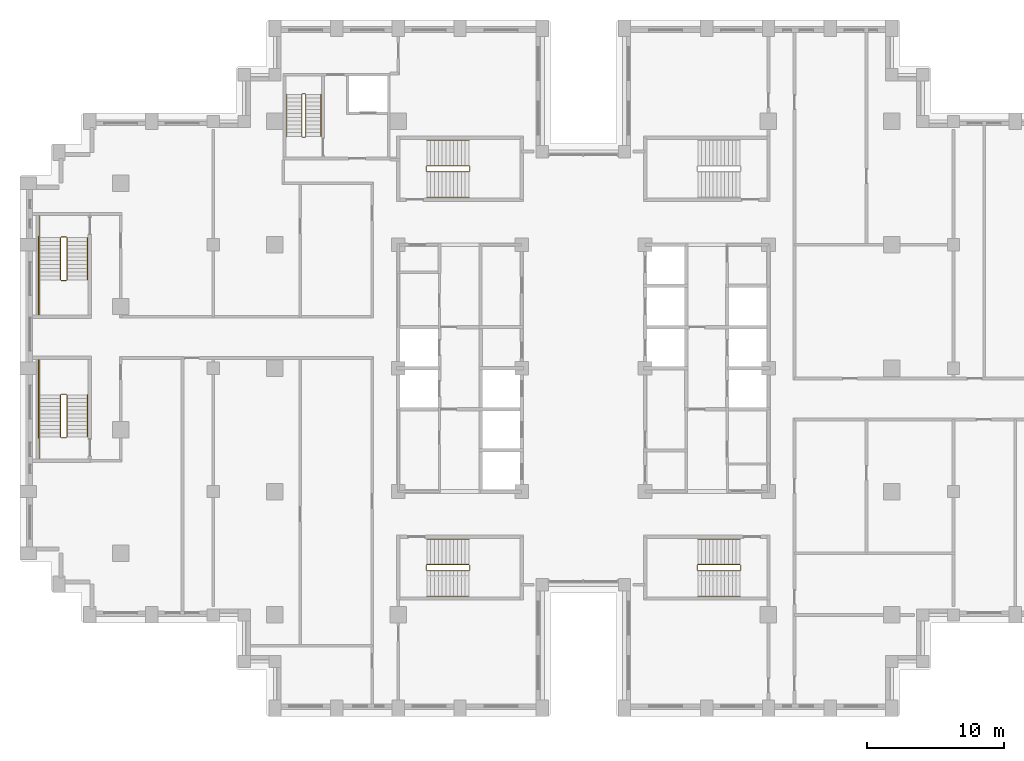
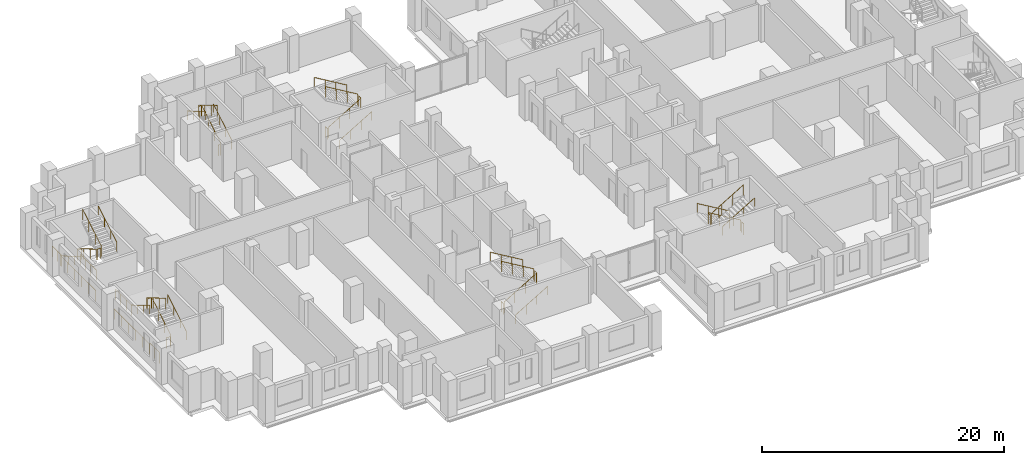
# One storey, part 15 of 16: 6 railings.
"""IFC4 building model written with IfcOpenShell, lengths in metres."""

from ifc_helpers import new_model, si_unit, direction, frame, origin, origin_2d, place, context, subcontext, project, spatial, circle, extrude, material, type_object, element, save


model = new_model("IFC4")

# Units and contexts
model_context = context("Model", 3, precision=1e-05, world=origin(), true_north=direction((0.0, 1.0)))
body_context = subcontext(model_context, "Body", "Model", "MODEL_VIEW")
ifc_project = project(units=[si_unit("LENGTHUNIT", "METRE"), si_unit("AREAUNIT", "SQUARE_METRE"), si_unit("VOLUMEUNIT", "CUBIC_METRE"), si_unit("PLANEANGLEUNIT", "RADIAN"), si_unit("MASSUNIT", "GRAM", prefix="KILO")], contexts=[model_context])

# Site, building, storey
site_placement = place(None, origin())
site = spatial("IfcSite", under=ifc_project, at=site_placement, CompositionType="ELEMENT")
building_placement = place(site_placement, origin())
building = spatial("IfcBuilding", under=site, at=building_placement, Name="Corbelhall Arena Tower", CompositionType="ELEMENT")
storey_placement = place(building_placement, frame((0.0, 0.0, 108.0)))
storey = spatial("IfcBuildingStorey", under=building, at=storey_placement, Name="L19", CompositionType="ELEMENT", Elevation=108.0)

# Railings
ifc_material = material(Name="Steel ASTM A500 Gr C", Category="steel")
railing_type = type_object("IfcRailingType", Name="IN-GD-1100", PredefinedType="GUARDRAIL", material=ifc_material)
railing_1_placement = place(storey_placement, frame((-11.425048828125, 14.324951171875, 0.166748046875)))
element("IfcRailing", 1, at=railing_1_placement, inside=storey, type_object=railing_type, Name="L19 ST1 stair guards and handrails", PredefinedType="GUARDRAIL", context=body_context, shape_type="SweptSolid", body=[
    extrude(circle(Radius=0.02392578125, at=origin_2d()), frame((0.0, 0.0, 1.076171875), z_axis=(0.859308565015, 0.0, 0.511457515432), x_axis=(0.0, 1.0, 0.0)), (0.0, 0.0, 1.0), 3.58447265625),
    extrude(circle(Radius=0.02392578125, at=origin_2d()), frame((3.130126953125, 0.050048828125, 2.9091796875), z_axis=(0.0, 1.0, 0.0), x_axis=(-1.0, 0.0, 0.0)), (0.0, 0.0, 1.0), 0.35009765625),
    extrude(circle(Radius=0.02392578125, at=origin_2d()), frame((3.080078125, 0.449951171875, 3.076171875), z_axis=(-0.859308565015, 0.0, 0.511457515432), x_axis=(0.0, -1.0, 0.0)), (0.0, 0.0, 1.0), 3.58447265625),
    extrude(circle(Radius=0.02392578125, at=origin_2d()), frame((-0.050048828125, 0.050048828125, 0.9091796875), z_axis=(0.0, 1.0, 0.0), x_axis=(-1.0, 0.0, 0.0)), (0.0, 0.0, 1.0), 0.35009765625),
    extrude(circle(Radius=0.02392578125, at=origin_2d()), frame((0.0, -1.849853515625, 0.8759765625), z_axis=(0.859308565015, 0.0, 0.511457515432), x_axis=(0.0, 1.0, 0.0)), (0.0, 0.0, 1.0), 3.58447265625),
    extrude(circle(Radius=0.02392578125, at=origin_2d()), frame((3.080078125, 2.300048828125, 2.8759765625), z_axis=(-0.859308565015, 0.0, 0.511457515432), x_axis=(0.0, -1.0, 0.0)), (0.0, 0.0, 1.0), 3.58447265625),
    extrude(circle(Radius=0.02099609375, at=origin_2d()), origin(), (0.0, 0.0, 1.0), 1.052001953125),
    extrude(circle(Radius=0.02099609375, at=origin_2d()), frame((1.026611328125, 0.0, 0.611083984375)), (0.0, 0.0, 1.0), 1.052001953125),
    extrude(circle(Radius=0.02099609375, at=origin_2d()), frame((2.053466796875, 0.0, 1.22216796875)), (0.0, 0.0, 1.0), 1.052001953125),
    extrude(circle(Radius=0.02099609375, at=origin_2d()), frame((3.080078125, 0.0, 1.833251953125)), (0.0, 0.0, 1.0), 1.052001953125),
    extrude(circle(Radius=0.02099609375, at=origin_2d()), frame((3.130126953125, 0.050048828125, 1.833251953125)), (0.0, 0.0, 1.0), 1.052001953125),
    extrude(circle(Radius=0.02099609375, at=origin_2d()), frame((3.130126953125, 0.400146484375, 1.833251953125)), (0.0, 0.0, 1.0), 1.052001953125),
    extrude(circle(Radius=0.02099609375, at=origin_2d()), frame((3.080078125, 0.449951171875, 2.0)), (0.0, 0.0, 1.0), 1.052001953125),
    extrude(circle(Radius=0.02099609375, at=origin_2d()), frame((2.053466796875, 0.449951171875, 2.611083984375)), (0.0, 0.0, 1.0), 1.052001953125),
    extrude(circle(Radius=0.02099609375, at=origin_2d()), frame((1.026611328125, 0.449951171875, 3.22216796875)), (0.0, 0.0, 1.0), 1.052001953125),
    extrude(circle(Radius=0.02099609375, at=origin_2d()), frame((0.0, 0.449951171875, 3.833251953125)), (0.0, 0.0, 1.0), 1.052001953125),
    extrude(circle(Radius=0.02099609375, at=origin_2d()), frame((-0.050048828125, 0.050048828125, -0.166748046875)), (0.0, 0.0, 1.0), 1.052001953125),
    extrude(circle(Radius=0.02099609375, at=origin_2d()), frame((-0.050048828125, 0.400146484375, -0.166748046875)), (0.0, 0.0, 1.0), 1.052001953125),
    extrude(circle(Radius=0.02099609375, at=origin_2d()), frame((0.0, -1.849853515625, 0.0)), (0.0, 0.0, 1.0), 0.851806640625),
    extrude(circle(Radius=0.02099609375, at=origin_2d()), frame((1.026611328125, -1.849853515625, 0.611083984375)), (0.0, 0.0, 1.0), 0.851806640625),
    extrude(circle(Radius=0.02099609375, at=origin_2d()), frame((2.053466796875, -1.849853515625, 1.22216796875)), (0.0, 0.0, 1.0), 0.851806640625),
    extrude(circle(Radius=0.02099609375, at=origin_2d()), frame((3.080078125, -1.849853515625, 1.833251953125)), (0.0, 0.0, 1.0), 0.851806640625),
    extrude(circle(Radius=0.02099609375, at=origin_2d()), frame((3.080078125, 2.300048828125, 2.0)), (0.0, 0.0, 1.0), 0.851806640625),
    extrude(circle(Radius=0.02099609375, at=origin_2d()), frame((2.053466796875, 2.300048828125, 2.611083984375)), (0.0, 0.0, 1.0), 0.851806640625),
    extrude(circle(Radius=0.02099609375, at=origin_2d()), frame((1.026611328125, 2.300048828125, 3.22216796875)), (0.0, 0.0, 1.0), 0.851806640625),
    extrude(circle(Radius=0.02099609375, at=origin_2d()), frame((0.0, 2.300048828125, 3.833251953125)), (0.0, 0.0, 1.0), 0.851806640625),
])
railing_2_placement = place(storey_placement, frame((-11.425048828125, -14.77490234375, 0.166748046875)))
element("IfcRailing", 2, at=railing_2_placement, inside=storey, type_object=railing_type, Name="L19 ST2 stair guards and handrails", PredefinedType="GUARDRAIL", context=body_context, shape_type="SweptSolid", body=[
    extrude(circle(Radius=0.02392578125, at=origin_2d()), frame((0.0, 0.0, 1.076171875), z_axis=(0.859308565015, 0.0, 0.511457515432), x_axis=(0.0, 1.0, 0.0)), (0.0, 0.0, 1.0), 3.58447265625),
    extrude(circle(Radius=0.02392578125, at=origin_2d()), frame((3.130126953125, 0.0498046875, 2.9091796875), z_axis=(0.0, 1.0, 0.0), x_axis=(-1.0, 0.0, 0.0)), (0.0, 0.0, 1.0), 0.35009765625),
    extrude(circle(Radius=0.02392578125, at=origin_2d()), frame((3.080078125, 0.449951171875, 3.076171875), z_axis=(-0.859308565015, 0.0, 0.511457515432), x_axis=(0.0, -1.0, 0.0)), (0.0, 0.0, 1.0), 3.58447265625),
    extrude(circle(Radius=0.02392578125, at=origin_2d()), frame((-0.050048828125, 0.0498046875, 0.9091796875), z_axis=(0.0, 1.0, 0.0), x_axis=(-1.0, 0.0, 0.0)), (0.0, 0.0, 1.0), 0.35009765625),
    extrude(circle(Radius=0.02392578125, at=origin_2d()), frame((0.0, -1.85009765625, 0.8759765625), z_axis=(0.859308565015, 0.0, 0.511457515432), x_axis=(0.0, 1.0, 0.0)), (0.0, 0.0, 1.0), 3.58447265625),
    extrude(circle(Radius=0.02392578125, at=origin_2d()), frame((3.080078125, 2.2998046875, 2.8759765625), z_axis=(-0.859308565015, 0.0, 0.511457515432), x_axis=(0.0, -1.0, 0.0)), (0.0, 0.0, 1.0), 3.58447265625),
    extrude(circle(Radius=0.02099609375, at=origin_2d()), origin(), (0.0, 0.0, 1.0), 1.052001953125),
    extrude(circle(Radius=0.02099609375, at=origin_2d()), frame((1.026611328125, 0.0, 0.611083984375)), (0.0, 0.0, 1.0), 1.052001953125),
    extrude(circle(Radius=0.02099609375, at=origin_2d()), frame((2.053466796875, 0.0, 1.22216796875)), (0.0, 0.0, 1.0), 1.052001953125),
    extrude(circle(Radius=0.02099609375, at=origin_2d()), frame((3.080078125, 0.0, 1.833251953125)), (0.0, 0.0, 1.0), 1.052001953125),
    extrude(circle(Radius=0.02099609375, at=origin_2d()), frame((3.130126953125, 0.0498046875, 1.833251953125)), (0.0, 0.0, 1.0), 1.052001953125),
    extrude(circle(Radius=0.02099609375, at=origin_2d()), frame((3.130126953125, 0.39990234375, 1.833251953125)), (0.0, 0.0, 1.0), 1.052001953125),
    extrude(circle(Radius=0.02099609375, at=origin_2d()), frame((3.080078125, 0.449951171875, 2.0)), (0.0, 0.0, 1.0), 1.052001953125),
    extrude(circle(Radius=0.02099609375, at=origin_2d()), frame((2.053466796875, 0.449951171875, 2.611083984375)), (0.0, 0.0, 1.0), 1.052001953125),
    extrude(circle(Radius=0.02099609375, at=origin_2d()), frame((1.026611328125, 0.449951171875, 3.22216796875)), (0.0, 0.0, 1.0), 1.052001953125),
    extrude(circle(Radius=0.02099609375, at=origin_2d()), frame((0.0, 0.449951171875, 3.833251953125)), (0.0, 0.0, 1.0), 1.052001953125),
    extrude(circle(Radius=0.02099609375, at=origin_2d()), frame((-0.050048828125, 0.0498046875, -0.166748046875)), (0.0, 0.0, 1.0), 1.052001953125),
    extrude(circle(Radius=0.02099609375, at=origin_2d()), frame((-0.050048828125, 0.39990234375, -0.166748046875)), (0.0, 0.0, 1.0), 1.052001953125),
    extrude(circle(Radius=0.02099609375, at=origin_2d()), frame((0.0, -1.85009765625, 0.0)), (0.0, 0.0, 1.0), 0.851806640625),
    extrude(circle(Radius=0.02099609375, at=origin_2d()), frame((1.026611328125, -1.85009765625, 0.611083984375)), (0.0, 0.0, 1.0), 0.851806640625),
    extrude(circle(Radius=0.02099609375, at=origin_2d()), frame((2.053466796875, -1.85009765625, 1.22216796875)), (0.0, 0.0, 1.0), 0.851806640625),
    extrude(circle(Radius=0.02099609375, at=origin_2d()), frame((3.080078125, -1.85009765625, 1.833251953125)), (0.0, 0.0, 1.0), 0.851806640625),
    extrude(circle(Radius=0.02099609375, at=origin_2d()), frame((3.080078125, 2.2998046875, 2.0)), (0.0, 0.0, 1.0), 0.851806640625),
    extrude(circle(Radius=0.02099609375, at=origin_2d()), frame((2.053466796875, 2.2998046875, 2.611083984375)), (0.0, 0.0, 1.0), 0.851806640625),
    extrude(circle(Radius=0.02099609375, at=origin_2d()), frame((1.026611328125, 2.2998046875, 3.22216796875)), (0.0, 0.0, 1.0), 0.851806640625),
    extrude(circle(Radius=0.02099609375, at=origin_2d()), frame((0.0, 2.2998046875, 3.833251953125)), (0.0, 0.0, 1.0), 0.851806640625),
])
railing_3_placement = place(storey_placement, frame((11.425048828125, -14.324951171875, 0.166748046875)))
element("IfcRailing", 3, at=railing_3_placement, inside=storey, type_object=railing_type, Name="L19 ST4 stair guards and handrails", PredefinedType="GUARDRAIL", context=body_context, shape_type="SweptSolid", body=[
    extrude(circle(Radius=0.02392578125, at=origin_2d()), frame((0.0, 0.0, 1.076171875), z_axis=(-0.859308565015, 0.0, 0.511457515432), x_axis=(0.0, -1.0, 0.0)), (0.0, 0.0, 1.0), 3.58447265625),
    extrude(circle(Radius=0.02392578125, at=origin_2d()), frame((-3.130126953125, -0.050048828125, 2.9091796875), z_axis=(0.0, -1.0, 0.0), x_axis=(1.0, 0.0, 0.0)), (0.0, 0.0, 1.0), 0.35009765625),
    extrude(circle(Radius=0.02392578125, at=origin_2d()), frame((-3.080078125, -0.449951171875, 3.076171875), z_axis=(0.859308565015, 0.0, 0.511457515432), x_axis=(0.0, 1.0, 0.0)), (0.0, 0.0, 1.0), 3.58447265625),
    extrude(circle(Radius=0.02392578125, at=origin_2d()), frame((0.050048828125, -0.050048828125, 0.9091796875), z_axis=(0.0, -1.0, 0.0), x_axis=(1.0, 0.0, 0.0)), (0.0, 0.0, 1.0), 0.35009765625),
    extrude(circle(Radius=0.02392578125, at=origin_2d()), frame((0.0, 1.849853515625, 0.8759765625), z_axis=(-0.859308565015, 0.0, 0.511457515432), x_axis=(0.0, -1.0, 0.0)), (0.0, 0.0, 1.0), 3.58447265625),
    extrude(circle(Radius=0.02392578125, at=origin_2d()), frame((-3.080078125, -2.300048828125, 2.8759765625), z_axis=(0.859308565015, 0.0, 0.511457515432), x_axis=(0.0, 1.0, 0.0)), (0.0, 0.0, 1.0), 3.58447265625),
    extrude(circle(Radius=0.02099609375, at=origin_2d()), origin(), (0.0, 0.0, 1.0), 1.052001953125),
    extrude(circle(Radius=0.02099609375, at=origin_2d()), frame((-1.026611328125, 0.0, 0.611083984375)), (0.0, 0.0, 1.0), 1.052001953125),
    extrude(circle(Radius=0.02099609375, at=origin_2d()), frame((-2.053466796875, 0.0, 1.22216796875)), (0.0, 0.0, 1.0), 1.052001953125),
    extrude(circle(Radius=0.02099609375, at=origin_2d()), frame((-3.080078125, 0.0, 1.833251953125)), (0.0, 0.0, 1.0), 1.052001953125),
    extrude(circle(Radius=0.02099609375, at=origin_2d()), frame((-3.130126953125, -0.050048828125, 1.833251953125)), (0.0, 0.0, 1.0), 1.052001953125),
    extrude(circle(Radius=0.02099609375, at=origin_2d()), frame((-3.130126953125, -0.400146484375, 1.833251953125)), (0.0, 0.0, 1.0), 1.052001953125),
    extrude(circle(Radius=0.02099609375, at=origin_2d()), frame((-3.080078125, -0.449951171875, 2.0)), (0.0, 0.0, 1.0), 1.052001953125),
    extrude(circle(Radius=0.02099609375, at=origin_2d()), frame((-2.053466796875, -0.449951171875, 2.611083984375)), (0.0, 0.0, 1.0), 1.052001953125),
    extrude(circle(Radius=0.02099609375, at=origin_2d()), frame((-1.026611328125, -0.449951171875, 3.22216796875)), (0.0, 0.0, 1.0), 1.052001953125),
    extrude(circle(Radius=0.02099609375, at=origin_2d()), frame((0.0, -0.449951171875, 3.833251953125)), (0.0, 0.0, 1.0), 1.052001953125),
    extrude(circle(Radius=0.02099609375, at=origin_2d()), frame((0.050048828125, -0.050048828125, -0.166748046875)), (0.0, 0.0, 1.0), 1.052001953125),
    extrude(circle(Radius=0.02099609375, at=origin_2d()), frame((0.050048828125, -0.400146484375, -0.166748046875)), (0.0, 0.0, 1.0), 1.052001953125),
    extrude(circle(Radius=0.02099609375, at=origin_2d()), frame((0.0, 1.849853515625, 0.0)), (0.0, 0.0, 1.0), 0.851806640625),
    extrude(circle(Radius=0.02099609375, at=origin_2d()), frame((-1.026611328125, 1.849853515625, 0.611083984375)), (0.0, 0.0, 1.0), 0.851806640625),
    extrude(circle(Radius=0.02099609375, at=origin_2d()), frame((-2.053466796875, 1.849853515625, 1.22216796875)), (0.0, 0.0, 1.0), 0.851806640625),
    extrude(circle(Radius=0.02099609375, at=origin_2d()), frame((-3.080078125, 1.849853515625, 1.833251953125)), (0.0, 0.0, 1.0), 0.851806640625),
    extrude(circle(Radius=0.02099609375, at=origin_2d()), frame((-3.080078125, -2.300048828125, 2.0)), (0.0, 0.0, 1.0), 0.851806640625),
    extrude(circle(Radius=0.02099609375, at=origin_2d()), frame((-2.053466796875, -2.300048828125, 2.611083984375)), (0.0, 0.0, 1.0), 0.851806640625),
    extrude(circle(Radius=0.02099609375, at=origin_2d()), frame((-1.026611328125, -2.300048828125, 3.22216796875)), (0.0, 0.0, 1.0), 0.851806640625),
    extrude(circle(Radius=0.02099609375, at=origin_2d()), frame((0.0, -2.300048828125, 3.833251953125)), (0.0, 0.0, 1.0), 0.851806640625),
])
railing_4_placement = place(storey_placement, frame((-38.14990234375, 9.52490234375, 0.166748046875)))
element("IfcRailing", 4, at=railing_4_placement, inside=storey, type_object=railing_type, Name="L19 SC1 stair guards and handrails", PredefinedType="GUARDRAIL", context=body_context, shape_type="SweptSolid", body=[
    extrude(circle(Radius=0.02392578125, at=origin_2d()), frame((0.0, 0.0, 1.076171875), z_axis=(0.0, -0.859290745958, 0.51148745235), x_axis=(1.0, 0.0, 0.0)), (0.0, 0.0, 1.0), 3.584228515625),
    extrude(circle(Radius=0.02392578125, at=origin_2d()), frame((0.0498046875, -3.1298828125, 2.9091796875), z_axis=(1.0, 0.0, 0.0), x_axis=(0.0, 1.0, 0.0)), (0.0, 0.0, 1.0), 0.375),
    extrude(circle(Radius=0.02392578125, at=origin_2d()), frame((-1.5, -3.079833984375, 2.9091796875), z_axis=(0.0, -1.0, 0.0), x_axis=(1.0, 0.0, 0.0)), (0.0, 0.0, 1.0), 2.570068359375),
    extrude(circle(Radius=0.02392578125, at=origin_2d()), frame((0.474853515625, -3.079833984375, 3.076171875), z_axis=(0.0, 0.859290745958, 0.51148745235), x_axis=(-1.0, 0.0, 0.0)), (0.0, 0.0, 1.0), 3.584228515625),
    extrude(circle(Radius=0.02392578125, at=origin_2d()), frame((0.0498046875, 0.050048828125, 0.9091796875), z_axis=(1.0, 0.0, 0.0), x_axis=(0.0, 1.0, 0.0)), (0.0, 0.0, 1.0), 0.375),
    extrude(circle(Radius=0.02392578125, at=origin_2d()), frame((-1.5, 1.60009765625, 0.9091796875), z_axis=(0.0, -1.0, 0.0), x_axis=(1.0, 0.0, 0.0)), (0.0, 0.0, 1.0), 1.60009765625),
    extrude(circle(Radius=0.02392578125, at=origin_2d()), frame((-1.60009765625, 0.10009765625, 0.9091796875), z_axis=(0.0, -1.0, 0.0), x_axis=(1.0, 0.0, 0.0)), (0.0, 0.0, 1.0), 5.85009765625),
    extrude(circle(Radius=0.02392578125, at=origin_2d()), frame((-1.5, 0.0, 0.8759765625), z_axis=(0.0, -0.859290745958, 0.51148745235), x_axis=(1.0, 0.0, 0.0)), (0.0, 0.0, 1.0), 3.584228515625),
    extrude(circle(Radius=0.02392578125, at=origin_2d()), frame((1.974853515625, -3.079833984375, 2.8759765625), z_axis=(0.0, 0.859290745958, 0.51148745235), x_axis=(-1.0, 0.0, 0.0)), (0.0, 0.0, 1.0), 3.584228515625),
    extrude(circle(Radius=0.02099609375, at=origin_2d()), origin(), (0.0, 0.0, 1.0), 1.052001953125),
    extrude(circle(Radius=0.02099609375, at=origin_2d()), frame((0.0, -1.026611328125, 0.611083984375)), (0.0, 0.0, 1.0), 1.052001953125),
    extrude(circle(Radius=0.02099609375, at=origin_2d()), frame((0.0, -2.05322265625, 1.22216796875)), (0.0, 0.0, 1.0), 1.052001953125),
    extrude(circle(Radius=0.02099609375, at=origin_2d()), frame((0.0, -3.079833984375, 1.833251953125)), (0.0, 0.0, 1.0), 1.052001953125),
    extrude(circle(Radius=0.02099609375, at=origin_2d()), frame((0.0498046875, -3.1298828125, 1.833251953125)), (0.0, 0.0, 1.0), 1.052001953125),
    extrude(circle(Radius=0.02099609375, at=origin_2d()), frame((0.4248046875, -3.1298828125, 1.833251953125)), (0.0, 0.0, 1.0), 1.052001953125),
    extrude(circle(Radius=0.02099609375, at=origin_2d()), frame((-1.5, -3.079833984375, 1.833251953125)), (0.0, 0.0, 1.0), 1.052001953125),
    extrude(circle(Radius=0.02099609375, at=origin_2d()), frame((-1.5, -3.9365234375, 1.833251953125)), (0.0, 0.0, 1.0), 1.052001953125),
    extrude(circle(Radius=0.02099609375, at=origin_2d()), frame((-1.5, -4.793212890625, 1.833251953125)), (0.0, 0.0, 1.0), 1.052001953125),
    extrude(circle(Radius=0.02099609375, at=origin_2d()), frame((-1.5, -5.64990234375, 1.833251953125)), (0.0, 0.0, 1.0), 1.052001953125),
    extrude(circle(Radius=0.02099609375, at=origin_2d()), frame((0.474853515625, -3.079833984375, 2.0)), (0.0, 0.0, 1.0), 1.052001953125),
    extrude(circle(Radius=0.02099609375, at=origin_2d()), frame((0.474853515625, -2.05322265625, 2.611083984375)), (0.0, 0.0, 1.0), 1.052001953125),
    extrude(circle(Radius=0.02099609375, at=origin_2d()), frame((0.474853515625, -1.026611328125, 3.22216796875)), (0.0, 0.0, 1.0), 1.052001953125),
    extrude(circle(Radius=0.02099609375, at=origin_2d()), frame((0.474853515625, 0.0, 3.833251953125)), (0.0, 0.0, 1.0), 1.052001953125),
    extrude(circle(Radius=0.02099609375, at=origin_2d()), frame((0.0498046875, 0.050048828125, -0.166748046875)), (0.0, 0.0, 1.0), 1.052001953125),
    extrude(circle(Radius=0.02099609375, at=origin_2d()), frame((0.4248046875, 0.050048828125, -0.166748046875)), (0.0, 0.0, 1.0), 1.052001953125),
    extrude(circle(Radius=0.02099609375, at=origin_2d()), frame((-1.5, 1.60009765625, -0.166748046875)), (0.0, 0.0, 1.0), 1.052001953125),
    extrude(circle(Radius=0.02099609375, at=origin_2d()), frame((-1.5, 0.800048828125, -0.166748046875)), (0.0, 0.0, 1.0), 1.052001953125),
    extrude(circle(Radius=0.02099609375, at=origin_2d()), frame((-1.5, 0.0, -0.166748046875)), (0.0, 0.0, 1.0), 1.052001953125),
    extrude(circle(Radius=0.02099609375, at=origin_2d()), frame((-1.60009765625, 0.10009765625, -0.166748046875)), (0.0, 0.0, 1.0), 1.052001953125),
    extrude(circle(Radius=0.02099609375, at=origin_2d()), frame((-1.60009765625, -1.06982421875, -0.166748046875)), (0.0, 0.0, 1.0), 1.052001953125),
    extrude(circle(Radius=0.02099609375, at=origin_2d()), frame((-1.60009765625, -2.239990234375, -0.166748046875)), (0.0, 0.0, 1.0), 1.052001953125),
    extrude(circle(Radius=0.02099609375, at=origin_2d()), frame((-1.60009765625, -3.409912109375, -0.166748046875)), (0.0, 0.0, 1.0), 1.052001953125),
    extrude(circle(Radius=0.02099609375, at=origin_2d()), frame((-1.60009765625, -4.580078125, -0.166748046875)), (0.0, 0.0, 1.0), 1.052001953125),
    extrude(circle(Radius=0.02099609375, at=origin_2d()), frame((-1.60009765625, -5.75, -0.166748046875)), (0.0, 0.0, 1.0), 1.052001953125),
    extrude(circle(Radius=0.02099609375, at=origin_2d()), frame((-1.5, 0.0, 0.0)), (0.0, 0.0, 1.0), 0.851806640625),
    extrude(circle(Radius=0.02099609375, at=origin_2d()), frame((-1.5, -1.026611328125, 0.611083984375)), (0.0, 0.0, 1.0), 0.851806640625),
    extrude(circle(Radius=0.02099609375, at=origin_2d()), frame((-1.5, -2.05322265625, 1.22216796875)), (0.0, 0.0, 1.0), 0.851806640625),
    extrude(circle(Radius=0.02099609375, at=origin_2d()), frame((1.974853515625, -3.079833984375, 2.0)), (0.0, 0.0, 1.0), 0.851806640625),
    extrude(circle(Radius=0.02099609375, at=origin_2d()), frame((1.974853515625, -2.05322265625, 2.611083984375)), (0.0, 0.0, 1.0), 0.851806640625),
    extrude(circle(Radius=0.02099609375, at=origin_2d()), frame((1.974853515625, -1.026611328125, 3.22216796875)), (0.0, 0.0, 1.0), 0.851806640625),
    extrude(circle(Radius=0.02099609375, at=origin_2d()), frame((1.974853515625, 0.0, 3.833251953125)), (0.0, 0.0, 1.0), 0.851806640625),
])
railing_5_placement = place(storey_placement, frame((-37.675048828125, -5.02490234375, 0.166748046875)))
element("IfcRailing", 5, at=railing_5_placement, inside=storey, type_object=railing_type, Name="L19 SC2 stair guards and handrails", PredefinedType="GUARDRAIL", context=body_context, shape_type="SweptSolid", body=[
    extrude(circle(Radius=0.02392578125, at=origin_2d()), frame((0.0, 0.0, 1.076171875), z_axis=(0.0, 0.859290745958, 0.51148745235), x_axis=(-1.0, 0.0, 0.0)), (0.0, 0.0, 1.0), 3.584228515625),
    extrude(circle(Radius=0.02392578125, at=origin_2d()), frame((-0.050048828125, 3.1298828125, 2.9091796875), z_axis=(-1.0, 0.0, 0.0), x_axis=(0.0, -1.0, 0.0)), (0.0, 0.0, 1.0), 0.375),
    extrude(circle(Radius=0.02392578125, at=origin_2d()), frame((-1.974853515625, 3.079833984375, 2.9091796875), z_axis=(0.0, 1.0, 0.0), x_axis=(-1.0, 0.0, 0.0)), (0.0, 0.0, 1.0), 2.570068359375),
    extrude(circle(Radius=0.02392578125, at=origin_2d()), frame((-0.474853515625, 3.079833984375, 3.076171875), z_axis=(0.0, -0.859290745958, 0.51148745235), x_axis=(1.0, 0.0, 0.0)), (0.0, 0.0, 1.0), 3.584228515625),
    extrude(circle(Radius=0.02392578125, at=origin_2d()), frame((-0.050048828125, -0.050048828125, 0.9091796875), z_axis=(-1.0, 0.0, 0.0), x_axis=(0.0, -1.0, 0.0)), (0.0, 0.0, 1.0), 0.375),
    extrude(circle(Radius=0.02392578125, at=origin_2d()), frame((-1.974853515625, -1.60009765625, 0.9091796875), z_axis=(0.0, 1.0, 0.0), x_axis=(-1.0, 0.0, 0.0)), (0.0, 0.0, 1.0), 1.60009765625),
    extrude(circle(Radius=0.02392578125, at=origin_2d()), frame((-2.074951171875, -0.10009765625, 0.9091796875), z_axis=(0.0, 1.0, 0.0), x_axis=(-1.0, 0.0, 0.0)), (0.0, 0.0, 1.0), 5.85009765625),
    extrude(circle(Radius=0.02392578125, at=origin_2d()), frame((1.5, 0.0, 0.8759765625), z_axis=(0.0, 0.859290745958, 0.51148745235), x_axis=(-1.0, 0.0, 0.0)), (0.0, 0.0, 1.0), 3.584228515625),
    extrude(circle(Radius=0.02392578125, at=origin_2d()), frame((-1.974853515625, 3.079833984375, 2.8759765625), z_axis=(0.0, -0.859290745958, 0.51148745235), x_axis=(1.0, 0.0, 0.0)), (0.0, 0.0, 1.0), 3.584228515625),
    extrude(circle(Radius=0.02099609375, at=origin_2d()), origin(), (0.0, 0.0, 1.0), 1.052001953125),
    extrude(circle(Radius=0.02099609375, at=origin_2d()), frame((0.0, 1.026611328125, 0.611083984375)), (0.0, 0.0, 1.0), 1.052001953125),
    extrude(circle(Radius=0.02099609375, at=origin_2d()), frame((0.0, 2.05322265625, 1.22216796875)), (0.0, 0.0, 1.0), 1.052001953125),
    extrude(circle(Radius=0.02099609375, at=origin_2d()), frame((0.0, 3.079833984375, 1.833251953125)), (0.0, 0.0, 1.0), 1.052001953125),
    extrude(circle(Radius=0.02099609375, at=origin_2d()), frame((-0.050048828125, 3.1298828125, 1.833251953125)), (0.0, 0.0, 1.0), 1.052001953125),
    extrude(circle(Radius=0.02099609375, at=origin_2d()), frame((-0.425048828125, 3.1298828125, 1.833251953125)), (0.0, 0.0, 1.0), 1.052001953125),
    extrude(circle(Radius=0.02099609375, at=origin_2d()), frame((-1.974853515625, 3.079833984375, 1.833251953125)), (0.0, 0.0, 1.0), 1.052001953125),
    extrude(circle(Radius=0.02099609375, at=origin_2d()), frame((-1.974853515625, 3.9365234375, 1.833251953125)), (0.0, 0.0, 1.0), 1.052001953125),
    extrude(circle(Radius=0.02099609375, at=origin_2d()), frame((-1.974853515625, 4.793212890625, 1.833251953125)), (0.0, 0.0, 1.0), 1.052001953125),
    extrude(circle(Radius=0.02099609375, at=origin_2d()), frame((-1.974853515625, 5.64990234375, 1.833251953125)), (0.0, 0.0, 1.0), 1.052001953125),
    extrude(circle(Radius=0.02099609375, at=origin_2d()), frame((-0.474853515625, 3.079833984375, 2.0)), (0.0, 0.0, 1.0), 1.052001953125),
    extrude(circle(Radius=0.02099609375, at=origin_2d()), frame((-0.474853515625, 2.05322265625, 2.611083984375)), (0.0, 0.0, 1.0), 1.052001953125),
    extrude(circle(Radius=0.02099609375, at=origin_2d()), frame((-0.474853515625, 1.026611328125, 3.22216796875)), (0.0, 0.0, 1.0), 1.052001953125),
    extrude(circle(Radius=0.02099609375, at=origin_2d()), frame((-0.474853515625, 0.0, 3.833251953125)), (0.0, 0.0, 1.0), 1.052001953125),
    extrude(circle(Radius=0.02099609375, at=origin_2d()), frame((-0.050048828125, -0.050048828125, -0.166748046875)), (0.0, 0.0, 1.0), 1.052001953125),
    extrude(circle(Radius=0.02099609375, at=origin_2d()), frame((-0.425048828125, -0.050048828125, -0.166748046875)), (0.0, 0.0, 1.0), 1.052001953125),
    extrude(circle(Radius=0.02099609375, at=origin_2d()), frame((-1.974853515625, -1.60009765625, -0.166748046875)), (0.0, 0.0, 1.0), 1.052001953125),
    extrude(circle(Radius=0.02099609375, at=origin_2d()), frame((-1.974853515625, -0.800048828125, -0.166748046875)), (0.0, 0.0, 1.0), 1.052001953125),
    extrude(circle(Radius=0.02099609375, at=origin_2d()), frame((-1.974853515625, 0.0, -0.166748046875)), (0.0, 0.0, 1.0), 1.052001953125),
    extrude(circle(Radius=0.02099609375, at=origin_2d()), frame((-2.074951171875, -0.10009765625, -0.166748046875)), (0.0, 0.0, 1.0), 1.052001953125),
    extrude(circle(Radius=0.02099609375, at=origin_2d()), frame((-2.074951171875, 1.06982421875, -0.166748046875)), (0.0, 0.0, 1.0), 1.052001953125),
    extrude(circle(Radius=0.02099609375, at=origin_2d()), frame((-2.074951171875, 2.239990234375, -0.166748046875)), (0.0, 0.0, 1.0), 1.052001953125),
    extrude(circle(Radius=0.02099609375, at=origin_2d()), frame((-2.074951171875, 3.409912109375, -0.166748046875)), (0.0, 0.0, 1.0), 1.052001953125),
    extrude(circle(Radius=0.02099609375, at=origin_2d()), frame((-2.074951171875, 4.580078125, -0.166748046875)), (0.0, 0.0, 1.0), 1.052001953125),
    extrude(circle(Radius=0.02099609375, at=origin_2d()), frame((-2.074951171875, 5.75, -0.166748046875)), (0.0, 0.0, 1.0), 1.052001953125),
    extrude(circle(Radius=0.02099609375, at=origin_2d()), frame((1.5, 0.0, 0.0)), (0.0, 0.0, 1.0), 0.851806640625),
    extrude(circle(Radius=0.02099609375, at=origin_2d()), frame((1.5, 1.026611328125, 0.611083984375)), (0.0, 0.0, 1.0), 0.851806640625),
    extrude(circle(Radius=0.02099609375, at=origin_2d()), frame((1.5, 2.05322265625, 1.22216796875)), (0.0, 0.0, 1.0), 0.851806640625),
    extrude(circle(Radius=0.02099609375, at=origin_2d()), frame((1.5, 3.079833984375, 1.833251953125)), (0.0, 0.0, 1.0), 0.851806640625),
    extrude(circle(Radius=0.02099609375, at=origin_2d()), frame((-1.974853515625, 3.079833984375, 2.0)), (0.0, 0.0, 1.0), 0.851806640625),
    extrude(circle(Radius=0.02099609375, at=origin_2d()), frame((-1.974853515625, 2.05322265625, 2.611083984375)), (0.0, 0.0, 1.0), 0.851806640625),
    extrude(circle(Radius=0.02099609375, at=origin_2d()), frame((-1.974853515625, 1.026611328125, 3.22216796875)), (0.0, 0.0, 1.0), 0.851806640625),
    extrude(circle(Radius=0.02099609375, at=origin_2d()), frame((-1.974853515625, 0.0, 3.833251953125)), (0.0, 0.0, 1.0), 0.851806640625),
])
railing_6_placement = place(storey_placement, frame((-20.2451171875, 16.89990234375, 0.166748046875)))
element("IfcRailing", 6, at=railing_6_placement, inside=storey, type_object=railing_type, Name="L19 ST5 stair guards and handrails", PredefinedType="GUARDRAIL", context=body_context, shape_type="SweptSolid", body=[
    extrude(circle(Radius=0.02392578125, at=origin_2d()), frame((0.0, 0.0, 1.076171875), z_axis=(0.0, 0.859308565015, 0.511457515432), x_axis=(-1.0, 0.0, 0.0)), (0.0, 0.0, 1.0), 3.58447265625),
    extrude(circle(Radius=0.02392578125, at=origin_2d()), frame((-0.0498046875, 3.130126953125, 2.9091796875), z_axis=(-1.0, 0.0, 0.0), x_axis=(0.0, -1.0, 0.0)), (0.0, 0.0, 1.0), 0.2001953125),
    extrude(circle(Radius=0.02392578125, at=origin_2d()), frame((-0.2998046875, 3.080078125, 3.076171875), z_axis=(0.0, -0.859308565015, 0.511457515432), x_axis=(1.0, 0.0, 0.0)), (0.0, 0.0, 1.0), 3.58447265625),
    extrude(circle(Radius=0.02392578125, at=origin_2d()), frame((-0.0498046875, -0.0498046875, 0.9091796875), z_axis=(-1.0, 0.0, 0.0), x_axis=(0.0, -1.0, 0.0)), (0.0, 0.0, 1.0), 0.2001953125),
    extrude(circle(Radius=0.02392578125, at=origin_2d()), frame((1.10009765625, 0.0, 0.8759765625), z_axis=(0.0, 0.859308565015, 0.511457515432), x_axis=(-1.0, 0.0, 0.0)), (0.0, 0.0, 1.0), 3.58447265625),
    extrude(circle(Radius=0.02392578125, at=origin_2d()), frame((-1.39990234375, 3.080078125, 2.8759765625), z_axis=(0.0, -0.859308565015, 0.511457515432), x_axis=(1.0, 0.0, 0.0)), (0.0, 0.0, 1.0), 3.58447265625),
    extrude(circle(Radius=0.02099609375, at=origin_2d()), origin(), (0.0, 0.0, 1.0), 1.052001953125),
    extrude(circle(Radius=0.02099609375, at=origin_2d()), frame((0.0, 1.026611328125, 0.611083984375)), (0.0, 0.0, 1.0), 1.052001953125),
    extrude(circle(Radius=0.02099609375, at=origin_2d()), frame((0.0, 2.053466796875, 1.22216796875)), (0.0, 0.0, 1.0), 1.052001953125),
    extrude(circle(Radius=0.02099609375, at=origin_2d()), frame((0.0, 3.080078125, 1.833251953125)), (0.0, 0.0, 1.0), 1.052001953125),
    extrude(circle(Radius=0.02099609375, at=origin_2d()), frame((-0.0498046875, 3.130126953125, 1.833251953125)), (0.0, 0.0, 1.0), 1.052001953125),
    extrude(circle(Radius=0.02099609375, at=origin_2d()), frame((-0.25, 3.130126953125, 1.833251953125)), (0.0, 0.0, 1.0), 1.052001953125),
    extrude(circle(Radius=0.02099609375, at=origin_2d()), frame((-0.2998046875, 3.080078125, 2.0)), (0.0, 0.0, 1.0), 1.052001953125),
    extrude(circle(Radius=0.02099609375, at=origin_2d()), frame((-0.2998046875, 2.053466796875, 2.611083984375)), (0.0, 0.0, 1.0), 1.052001953125),
    extrude(circle(Radius=0.02099609375, at=origin_2d()), frame((-0.2998046875, 1.026611328125, 3.22216796875)), (0.0, 0.0, 1.0), 1.052001953125),
    extrude(circle(Radius=0.02099609375, at=origin_2d()), frame((-0.2998046875, 0.0, 3.833251953125)), (0.0, 0.0, 1.0), 1.052001953125),
    extrude(circle(Radius=0.02099609375, at=origin_2d()), frame((-0.0498046875, -0.0498046875, -0.166748046875)), (0.0, 0.0, 1.0), 1.052001953125),
    extrude(circle(Radius=0.02099609375, at=origin_2d()), frame((-0.25, -0.0498046875, -0.166748046875)), (0.0, 0.0, 1.0), 1.052001953125),
    extrude(circle(Radius=0.02099609375, at=origin_2d()), frame((1.10009765625, 0.0, 0.0)), (0.0, 0.0, 1.0), 0.851806640625),
    extrude(circle(Radius=0.02099609375, at=origin_2d()), frame((1.10009765625, 1.026611328125, 0.611083984375)), (0.0, 0.0, 1.0), 0.851806640625),
    extrude(circle(Radius=0.02099609375, at=origin_2d()), frame((1.10009765625, 2.053466796875, 1.22216796875)), (0.0, 0.0, 1.0), 0.851806640625),
    extrude(circle(Radius=0.02099609375, at=origin_2d()), frame((1.10009765625, 3.080078125, 1.833251953125)), (0.0, 0.0, 1.0), 0.851806640625),
    extrude(circle(Radius=0.02099609375, at=origin_2d()), frame((-1.39990234375, 3.080078125, 2.0)), (0.0, 0.0, 1.0), 0.851806640625),
    extrude(circle(Radius=0.02099609375, at=origin_2d()), frame((-1.39990234375, 2.053466796875, 2.611083984375)), (0.0, 0.0, 1.0), 0.851806640625),
    extrude(circle(Radius=0.02099609375, at=origin_2d()), frame((-1.39990234375, 1.026611328125, 3.22216796875)), (0.0, 0.0, 1.0), 0.851806640625),
    extrude(circle(Radius=0.02099609375, at=origin_2d()), frame((-1.39990234375, 0.0, 3.833251953125)), (0.0, 0.0, 1.0), 0.851806640625),
])

save(model, "model.ifc")
